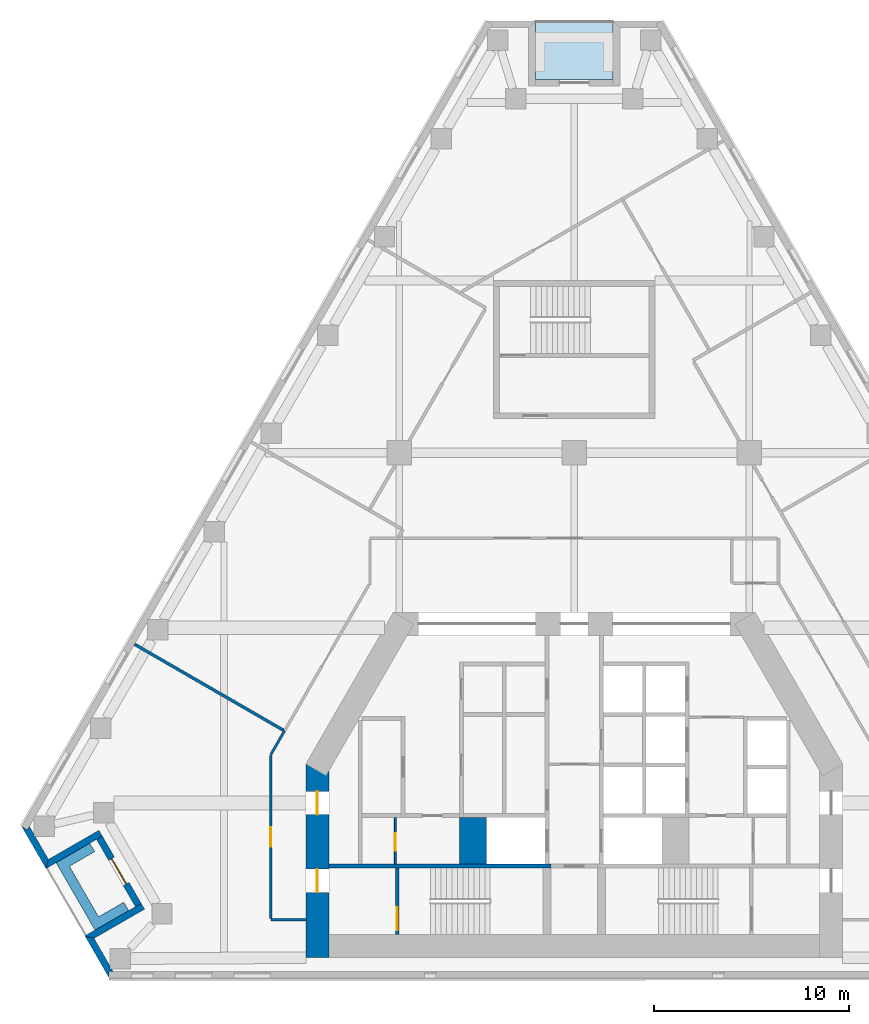
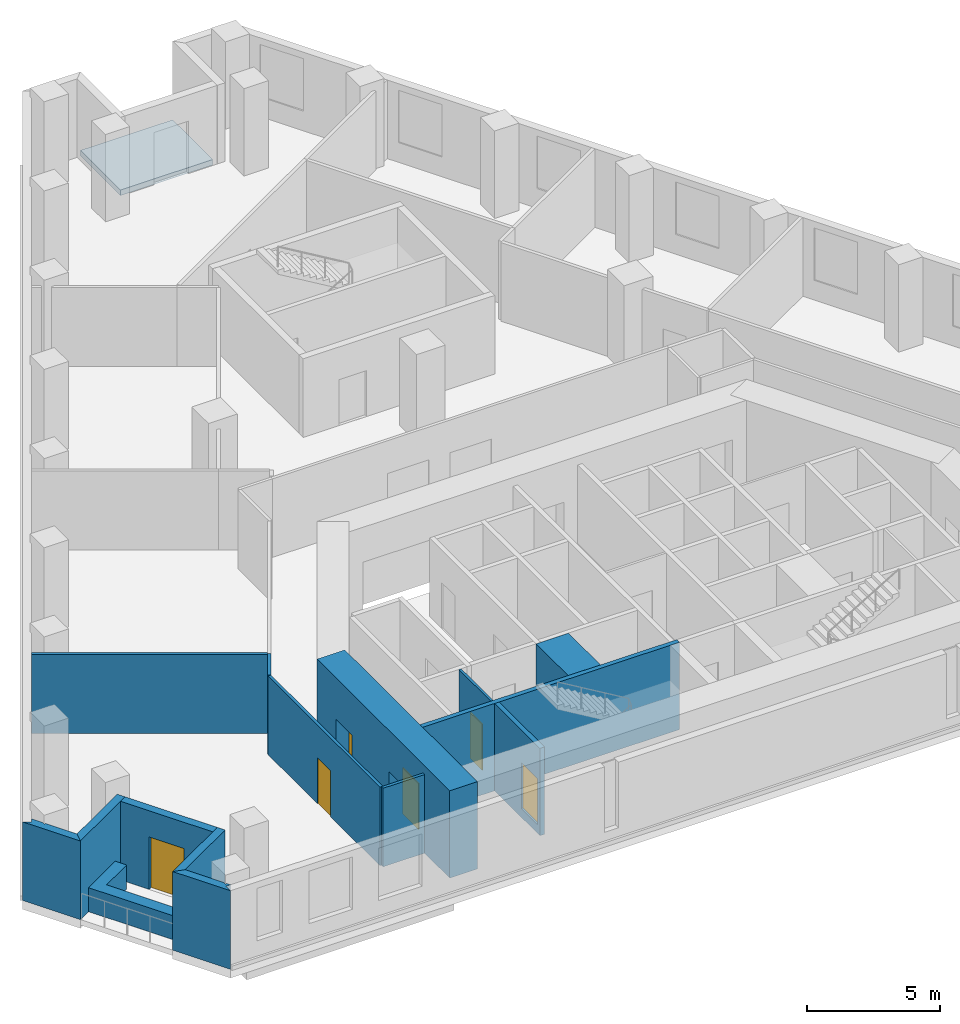
# One storey, part 2 of 7: 15 walls, 6 doors, 1 slab, 6 openings.
"""IFC4 building model written with IfcOpenShell, lengths in metres."""

from ifc_helpers import new_model, si_unit, direction, frame, frame_2d, origin, place, context, subcontext, project, spatial, polyline, rectangle, outline, extrude, material, layer, layer_set, type_object, element, fill, save


model = new_model("IFC4")

# Units and contexts
model_context = context("Model", 3, precision=1e-05, world=origin(), true_north=direction((0.0, 1.0)))
body_context = subcontext(model_context, "Body", "Model", "MODEL_VIEW")
ifc_project = project(units=[si_unit("LENGTHUNIT", "METRE"), si_unit("AREAUNIT", "SQUARE_METRE"), si_unit("VOLUMEUNIT", "CUBIC_METRE"), si_unit("PLANEANGLEUNIT", "RADIAN"), si_unit("MASSUNIT", "GRAM", prefix="KILO")], contexts=[model_context])

# Site, building, storey
site_placement = place(None, origin())
site = spatial("IfcSite", under=ifc_project, at=site_placement, CompositionType="ELEMENT")
building_placement = place(site_placement, origin())
building = spatial("IfcBuilding", under=site, at=building_placement, Name="Fogline Exchange Tower", CompositionType="ELEMENT")
storey_placement = place(building_placement, frame((0.0, 0.0, 166.89990234375)))
storey = spatial("IfcBuildingStorey", under=building, at=storey_placement, Name="L37", CompositionType="ELEMENT", Elevation=166.89990234375)

# Slab
ifc_material_1 = material(Name="Concrete C40", Category="concrete")
ifc_layer_1 = layer(ifc_material_1, 0.25)
ifc_layer_set_1 = layer_set([ifc_layer_1], Name="DK1")
slab_type = type_object("IfcSlabType", Name="DK1", PredefinedType="FLOOR", material=ifc_layer_set_1)
slab_placement = place(storey_placement, frame((0.0, 0.0, -0.25)))
element("IfcSlab", 1, at=slab_placement, inside=storey, type_object=slab_type, Name="Balcony L37 N", PredefinedType="FLOOR", context=body_context, shape_type="SweptSolid", body=[
    extrude(outline(polyline([(2.0, 49.19677734375), (-2.0, 49.19677734375), (-2.0, 46.19677734375), (2.0, 46.19677734375), (2.0, 49.19677734375)])), origin(), (0.0, 0.0, 1.0), 0.25),
])

# Wall, opening, door
ifc_material_2 = material(Name="Blockwork partition", Category="masonry")
ifc_layer_2 = layer(ifc_material_2, 0.10009765625)
ifc_layer_set_2 = layer_set([ifc_layer_2], Name="CW10")
wall_type_1 = type_object("IfcWallType", Name="CW10", PredefinedType="PARTITIONING", material=ifc_layer_set_2)
wall_1_placement = place(storey_placement, frame((-9.199951171875, 5.85009765625, 0.0), z_axis=(0.0, 0.0, 1.0), x_axis=(0.0, 1.0, 0.0)))
wall_1 = element("IfcWall", 2, at=wall_1_placement, inside=storey, type_object=wall_type_1, Name="WC partition", PredefinedType="PARTITIONING", context=body_context, shape_type="SweptSolid", body=[
    extrude(rectangle(XDim=2.39990234375, YDim=0.10009765625, at=frame_2d((1.199951171875, 0.0))), origin(), (0.0, 0.0, 1.0), 3.60009765625),
])
opening_1_placement = place(wall_1_placement, frame((0.699951171875, 0.0, 0.0)))
opening_1 = element("IfcOpeningElement", 3, at=opening_1_placement, cuts=wall_1, Name="Opening T12-C009", PredefinedType="OPENING", context=body_context, shape_type="SweptSolid", body=[
    extrude(rectangle(XDim=0.89990234375, YDim=2.10009765625, at=frame_2d((0.449951171875, 1.050048828125))), frame((0.0, 0.06005859375, 0.0), z_axis=(0.0, -1.0, 0.0), x_axis=(1.0, 0.0, 0.0)), (0.0, 0.0, 1.0), 0.1201171875),
])
ifc_material_3 = material(Name="Steel and timber fire door", Category="steel")
door_type_1 = type_object("IfcDoorType", Name="D-CS1", OperationType="SINGLE_SWING_RIGHT", PredefinedType="DOOR", material=ifc_material_3)
door_1_placement = place(opening_1_placement, origin())
door_1 = element("IfcDoor", 4, at=door_1_placement, inside=storey, type_object=door_type_1, Name="Door to Cleaner's Store", OperationType="SINGLE_SWING_LEFT", OverallHeight=2.10009765625, OverallWidth=0.89990234375, PredefinedType="DOOR", context=body_context, shape_type="SweptSolid", body=[
    extrude(rectangle(XDim=0.89990234375, YDim=2.10009765625, at=frame_2d((0.449951171875, 1.050048828125))), frame((0.0, 0.02490234375, 0.0), z_axis=(0.0, -1.0, 0.0), x_axis=(1.0, 0.0, 0.0)), (0.0, 0.0, 1.0), 0.050048828125),
])
fill(opening_1, door_1)

# Walls
ifc_material_4 = material(Name="Concrete C60", Category="concrete")
ifc_layer_3 = layer(ifc_material_4, 1.39990234375)
ifc_layer_set_3 = layer_set([ifc_layer_3], Name="CW140")
wall_type_2 = type_object("IfcWallType", Name="CW140", PredefinedType="SOLIDWALL", material=ifc_layer_set_3)
wall_2_placement = place(storey_placement, frame((-5.199951171875, 5.85009765625, -0.39990234375), z_axis=(0.0, 0.0, 1.0), x_axis=(0.0, 1.0, 0.0)))
element("IfcWall", 5, at=wall_2_placement, inside=storey, type_object=wall_type_2, Name="Lift shaft block wall", PredefinedType="SOLIDWALL", context=body_context, shape_type="SweptSolid", body=[
    extrude(rectangle(XDim=2.39990234375, YDim=1.39990234375, at=frame_2d((1.199951171875, 0.0))), origin(), (0.0, 0.0, 1.0), 4.0),
])
ifc_layer_4 = layer(ifc_material_1, 0.199951171875)
ifc_layer_set_4 = layer_set([ifc_layer_4], Name="CW20R")
wall_type_3 = type_object("IfcWallType", Name="CW20R", PredefinedType="SOLIDWALL", material=ifc_layer_set_4)
wall_3_placement = place(storey_placement, frame((-12.60009765625, 5.75, -0.39990234375), z_axis=(0.0, 0.0, 1.0), x_axis=(1.0, 0.0, 0.0)))
element("IfcWall", 6, at=wall_3_placement, inside=storey, type_object=wall_type_3, Name="Stair enclosure wall", PredefinedType="SOLIDWALL", context=body_context, shape_type="SweptSolid", body=[
    extrude(rectangle(XDim=11.400146484375, YDim=0.199951171875, at=frame_2d((5.7001953125, 0.0))), origin(), (0.0, 0.0, 1.0), 4.0),
])

# Wall, opening, door
wall_4_placement = place(storey_placement, frame((-9.10009765625, 2.25, -0.39990234375), z_axis=(0.0, 0.0, 1.0), x_axis=(0.0, 1.0, 0.0)))
wall_4 = element("IfcWall", 7, at=wall_4_placement, inside=storey, type_object=wall_type_3, Name="Stair enclosure wall", PredefinedType="SOLIDWALL", context=body_context, shape_type="SweptSolid", body=[
    extrude(rectangle(XDim=3.39990234375, YDim=0.199951171875, at=frame_2d((1.699951171875, 0.0))), origin(), (0.0, 0.0, 1.0), 4.0),
])
opening_2_placement = place(wall_4_placement, frame((0.199951171875, 0.0, 0.39990234375)))
opening_2 = element("IfcOpeningElement", 8, at=opening_2_placement, cuts=wall_4, Name="Opening T12-C011", PredefinedType="OPENING", context=body_context, shape_type="SweptSolid", body=[
    extrude(rectangle(XDim=1.199951171875, YDim=2.10009765625, at=frame_2d((0.60009765625, 1.050048828125))), frame((0.0, 0.10986328125, 0.0), z_axis=(0.0, -1.0, 0.0), x_axis=(1.0, 0.0, 0.0)), (0.0, 0.0, 1.0), 0.219970703125),
])
door_type_2 = type_object("IfcDoorType", Name="D-ST1", OperationType="SINGLE_SWING_LEFT", PredefinedType="DOOR", material=ifc_material_3)
door_2_placement = place(opening_2_placement, frame((1.199951171875, 0.0, 0.0), z_axis=(0.0, 0.0, 1.0), x_axis=(-1.0, 0.0, 0.0)))
door_2 = element("IfcDoor", 9, at=door_2_placement, inside=storey, type_object=door_type_2, Name="Stair door ST1", OperationType="SINGLE_SWING_RIGHT", OverallHeight=2.10009765625, OverallWidth=1.199951171875, PredefinedType="DOOR", context=body_context, shape_type="SweptSolid", body=[
    extrude(rectangle(XDim=1.199951171875, YDim=2.10009765625, at=frame_2d((0.60009765625, 1.050048828125))), frame((0.0, 0.02490234375, 0.0), z_axis=(0.0, -1.0, 0.0), x_axis=(1.0, 0.0, 0.0)), (0.0, 0.0, 1.0), 0.050048828125),
])
fill(opening_2, door_2)

# Walls
ifc_material_5 = material(Name="Brick masonry", Category="masonry")
ifc_layer_5 = layer(ifc_material_5, 0.340087890625)
ifc_layer_set_5 = layer_set([ifc_layer_5], Name="FW1")
wall_type_4 = type_object("IfcWallType", Name="FW1", PredefinedType="SOLIDWALL", material=ifc_layer_set_5)
wall_5_placement = place(storey_placement, origin())
element("IfcWall", 10, at=wall_5_placement, inside=storey, type_object=wall_type_4, Name="Brick wall L37 SW-c1", PredefinedType="SOLIDWALL", context=body_context, shape_type="SweptSolid", body=[
    extrude(outline(polyline([(-27.15380859375, 5.6279296875), (-28.40478515625, 7.794921875), (-28.404296875, 7.79541015625), (-28.109375, 7.625), (-28.010986328125, 7.79541015625), (-27.77392578125, 7.384765625), (-27.77392578125, 7.269287109375), (-27.707275390625, 7.269287109375), (-27.028564453125, 6.09375), (-27.1533203125, 5.6279296875), (-27.15380859375, 5.6279296875)])), origin(), (0.0, 0.0, 1.0), 3.60009765625),
])
wall_6_placement = place(storey_placement, origin())
element("IfcWall", 11, at=wall_6_placement, inside=storey, type_object=wall_type_4, Name="Brick wall L37 SW-s1", PredefinedType="SOLIDWALL", context=body_context, shape_type="SweptSolid", body=[
    extrude(outline(polyline([(-24.430908203125, 7.594482421875), (-24.26025390625, 7.298828125), (-24.555419921875, 7.128662109375), (-27.154296875, 5.628173828125), (-27.154541015625, 5.62841796875), (-27.02978515625, 6.093994140625), (-24.430908203125, 7.594482421875)])), origin(), (0.0, 0.0, 1.0), 3.60009765625),
])

# Wall, opening, door
wall_7_placement = place(storey_placement, frame((-24.408447265625, 7.214111328125, 0.0), z_axis=(0.0, 0.0, 1.0), x_axis=(0.49999894854, -0.866026010844, 0.0)))
wall_7 = element("IfcWall", 12, at=wall_7_placement, inside=storey, type_object=wall_type_4, Name="Brick wall L37 SW-bk", PredefinedType="SOLIDWALL", context=body_context, shape_type="SweptSolid", body=[
    extrude(rectangle(XDim=4.0, YDim=0.340087890625, at=frame_2d((2.0, 0.0))), origin(), (0.0, 0.0, 1.0), 3.60009765625),
])
opening_3_placement = place(wall_7_placement, frame((1.25, 0.0, 0.0)))
opening_3 = element("IfcOpeningElement", 13, at=opening_3_placement, cuts=wall_7, Name="Opening T12-E021", PredefinedType="OPENING", context=body_context, shape_type="SweptSolid", body=[
    extrude(rectangle(XDim=1.5, YDim=2.39990234375, at=frame_2d((0.75, 1.199951171875))), frame((0.0, 0.18017578125, 0.0), z_axis=(0.0, -1.0, 0.0), x_axis=(1.0, 0.0, 0.0)), (0.0, 0.0, 1.0), 0.360107421875),
])
ifc_material_6 = material(Name="Aluminium and glass", Category="aluminium")
door_type_3 = type_object("IfcDoorType", Name="ED4", OperationType="SINGLE_SWING_LEFT", PredefinedType="DOOR", material=ifc_material_6)
door_3_placement = place(opening_3_placement, frame((1.5, 0.0, 0.0), z_axis=(0.0, 0.0, 1.0), x_axis=(-1.0, 0.0, 0.0)))
door_3 = element("IfcDoor", 14, at=door_3_placement, inside=storey, type_object=door_type_3, Name="Balcony door L37 SW", OperationType="DOUBLE_DOOR_SINGLE_SWING", OverallHeight=2.39990234375, OverallWidth=1.5, PredefinedType="DOOR", context=body_context, shape_type="SweptSolid", body=[
    extrude(rectangle(XDim=1.5, YDim=2.39990234375, at=frame_2d((0.75, 1.199951171875))), frame((0.0, 0.02490234375, 0.0), z_axis=(0.0, -1.0, 0.0), x_axis=(1.0, 0.0, 0.0)), (0.0, 0.0, 1.0), 0.050048828125),
])
fill(opening_3, door_3)

# Walls
wall_8_placement = place(storey_placement, origin())
element("IfcWall", 15, at=wall_8_placement, inside=storey, type_object=wall_type_4, Name="Brick wall L37 SW-s2", PredefinedType="SOLIDWALL", context=body_context, shape_type="SweptSolid", body=[
    extrude(outline(polyline([(-25.155029296875, 2.1650390625), (-22.555908203125, 3.66552734375), (-22.260986328125, 3.8359375), (-22.09033203125, 3.540283203125), (-24.689208984375, 2.0400390625), (-25.15478515625, 2.164794921875), (-25.155029296875, 2.1650390625)])), origin(), (0.0, 0.0, 1.0), 3.60009765625),
])
wall_9_placement = place(storey_placement, origin())
element("IfcWall", 16, at=wall_9_placement, inside=storey, type_object=wall_type_4, Name="Brick wall L37 SW-c2", PredefinedType="SOLIDWALL", context=body_context, shape_type="SweptSolid", body=[
    extrude(outline(polyline([(-23.851318359375, 0.590576171875), (-23.851318359375, 0.47509765625), (-23.78466796875, 0.47509765625), (-23.706298828125, 0.33935546875), (-23.903076171875, 0.33935546875), (-23.903076171875, -0.0009765625), (-23.903564453125, -0.001220703125), (-25.15478515625, 2.165771484375), (-25.154541015625, 2.166015625), (-24.68896484375, 2.041015625), (-23.851318359375, 0.590576171875)])), origin(), (0.0, 0.0, 1.0), 3.60009765625),
])
ifc_material_7 = material(Name="Concrete C30", Category="concrete")
ifc_layer_6 = layer(ifc_material_7, 0.199951171875)
ifc_layer_set_6 = layer_set([ifc_layer_6], Name="PL1")
wall_type_5 = type_object("IfcWallType", Name="PL1", PredefinedType="USERDEFINED", material=ifc_layer_set_6)
wall_10_placement = place(storey_placement, origin())
element("IfcWall", 17, at=wall_10_placement, inside=storey, type_object=wall_type_5, Name="PLANTER balcony L37 SW", ObjectType="PLANTER", PredefinedType="USERDEFINED", context=body_context, shape_type="SweptSolid", body=[
    extrude(outline(polyline([(-23.152099609375, 3.898193359375), (-24.451171875, 3.148193359375), (-25.951171875, 5.74609375), (-24.652099609375, 6.49609375), (-24.902099609375, 6.92919921875), (-26.634033203125, 5.92919921875), (-26.384033203125, 5.49609375), (-24.634033203125, 2.465087890625), (-24.201171875, 2.715087890625), (-24.201171875, 2.715087890625), (-22.902099609375, 3.465087890625), (-23.152099609375, 3.898193359375)])), origin(), (0.0, 0.0, 1.0), 1.10009765625),
])
ifc_material_8 = material(Name="Plasterboard corridor partition with mineral wool, 2 layers each side")
ifc_layer_7 = layer(ifc_material_8, 0.125)
ifc_layer_set_7 = layer_set([ifc_layer_7], Name="PW2")
wall_type_6 = type_object("IfcWallType", Name="PW2", PredefinedType="PARTITIONING", material=ifc_layer_set_7)
wall_11_placement = place(storey_placement, frame((-13.800048828125, 3.0, 0.0), z_axis=(0.0, 0.0, 1.0), x_axis=(-1.0, 0.0, 0.0)))
element("IfcWall", 18, at=wall_11_placement, inside=storey, type_object=wall_type_6, Name="wall-L37-W010", PredefinedType="PARTITIONING", context=body_context, shape_type="SweptSolid", body=[
    extrude(rectangle(XDim=1.800048828125, YDim=0.125, at=frame_2d((0.89990234375, 0.0))), origin(), (0.0, 0.0, 1.0), 3.60009765625),
])

# Wall, opening, door
wall_12_placement = place(storey_placement, frame((-15.60009765625, 3.0625, 0.0), z_axis=(0.0, 0.0, 1.0), x_axis=(0.0, 1.0, 0.0)))
wall_12 = element("IfcWall", 19, at=wall_12_placement, inside=storey, type_object=wall_type_6, Name="wall-L37-W011", PredefinedType="PARTITIONING", context=body_context, shape_type="SweptSolid", body=[
    extrude(rectangle(XDim=8.3876953125, YDim=0.125, at=frame_2d((4.19384765625, 0.0))), origin(), (0.0, 0.0, 1.0), 3.60009765625),
])
opening_4_placement = place(wall_12_placement, frame((3.69384765625, 0.0, 0.0)))
opening_4 = element("IfcOpeningElement", 20, at=opening_4_placement, cuts=wall_12, Name="Opening T12-D006", PredefinedType="OPENING", context=body_context, shape_type="SweptSolid", body=[
    extrude(rectangle(XDim=1.0, YDim=2.10009765625, at=frame_2d((0.5, 1.050048828125))), frame((0.0, 0.072509765625, 0.0), z_axis=(0.0, -1.0, 0.0), x_axis=(1.0, 0.0, 0.0)), (0.0, 0.0, 1.0), 0.14501953125),
])
ifc_material_9 = material(Name="Fire-rated timber door leaf with steel frame", Category="steel")
door_type_4 = type_object("IfcDoorType", Name="D3", OperationType="SINGLE_SWING_LEFT", PredefinedType="DOOR", material=ifc_material_9)
door_4_placement = place(opening_4_placement, origin())
door_4 = element("IfcDoor", 21, at=door_4_placement, inside=storey, type_object=door_type_4, Name="door-L37-D006", OperationType="SINGLE_SWING_LEFT", OverallHeight=2.10009765625, OverallWidth=1.0, PredefinedType="DOOR", context=body_context, shape_type="SweptSolid", body=[
    extrude(rectangle(XDim=1.0, YDim=2.10009765625, at=frame_2d((0.5, 1.050048828125))), frame((0.0, 0.02490234375, 0.0), z_axis=(0.0, -1.0, 0.0), x_axis=(1.0, 0.0, 0.0)), (0.0, 0.0, 1.0), 0.050048828125),
])
fill(opening_4, door_4)

# Walls
wall_13_placement = place(storey_placement, frame((-15.60009765625, 11.481201171875, 0.0), z_axis=(0.0, 0.0, 1.0), x_axis=(0.499981405807, 0.866036138881, 0.0)))
element("IfcWall", 22, at=wall_13_placement, inside=storey, type_object=wall_type_6, Name="wall-L37-W012", PredefinedType="PARTITIONING", context=body_context, shape_type="SweptSolid", body=[
    extrude(rectangle(XDim=1.41455078125, YDim=0.125, at=frame_2d((0.707275390625, 0.0))), origin(), (0.0, 0.0, 1.0), 3.60009765625),
])
ifc_material_10 = material(Name="Plasterboard demising partition with mineral wool and acoustic board")
ifc_layer_8 = layer(ifc_material_10, 0.14990234375)
ifc_layer_set_8 = layer_set([ifc_layer_8], Name="PW3")
wall_type_7 = type_object("IfcWallType", Name="PW3", PredefinedType="PARTITIONING", material=ifc_layer_set_8)
wall_14_placement = place(storey_placement, frame((-14.947021484375, 12.7373046875, 0.0), z_axis=(0.0, 0.0, 1.0), x_axis=(-0.866008559923, 0.500029173289, 0.0)))
element("IfcWall", 23, at=wall_14_placement, inside=storey, type_object=wall_type_7, Name="wall-L37-W032", PredefinedType="PARTITIONING", context=body_context, shape_type="SweptSolid", body=[
    extrude(rectangle(XDim=8.84228515625, YDim=0.14990234375, at=frame_2d((4.421142578125, 0.0))), origin(), (0.0, 0.0, 1.0), 3.60009765625),
])

# Wall, openings, doors
ifc_layer_9 = layer(ifc_material_4, 1.199951171875)
ifc_layer_set_9 = layer_set([ifc_layer_9], Name="SW02")
wall_type_8 = type_object("IfcWallType", Name="SW02", PredefinedType="SHEAR", material=ifc_layer_set_9)
wall_15_placement = place(storey_placement, frame((-13.199951171875, 10.9990234375, 0.0), z_axis=(0.0, 0.0, 1.0), x_axis=(0.0, -1.0, 0.0)))
wall_15 = element("IfcWall", 24, at=wall_15_placement, inside=storey, type_object=wall_type_8, Name="L37-W906", PredefinedType="SHEAR", context=body_context, shape_type="SweptSolid", body=[
    extrude(rectangle(XDim=9.948974609375, YDim=1.199951171875, at=frame_2d((4.974609375, 0.0))), origin(), (0.0, 0.0, 1.0), 4.0),
])
opening_5_placement = place(wall_15_placement, frame((5.39892578125, 0.0, 0.0)))
opening_5 = element("IfcOpeningElement", 25, at=opening_5_placement, cuts=wall_15, Name="Opening T12-C010", PredefinedType="OPENING", context=body_context, shape_type="SweptSolid", body=[
    extrude(rectangle(XDim=1.199951171875, YDim=2.10009765625, at=frame_2d((0.60009765625, 1.050048828125))), frame((0.0, 0.60986328125, 0.0), z_axis=(0.0, -1.0, 0.0), x_axis=(1.0, 0.0, 0.0)), (0.0, 0.0, 1.0), 1.219970703125),
])
opening_6_placement = place(wall_15_placement, frame((1.39892578125, 0.0, 0.0)))
opening_6 = element("IfcOpeningElement", 26, at=opening_6_placement, cuts=wall_15, Name="Opening T12-C012", PredefinedType="OPENING", context=body_context, shape_type="SweptSolid", body=[
    extrude(rectangle(XDim=1.199951171875, YDim=2.10009765625, at=frame_2d((0.60009765625, 1.050048828125))), frame((0.0, 0.60986328125, 0.0), z_axis=(0.0, -1.0, 0.0), x_axis=(1.0, 0.0, 0.0)), (0.0, 0.0, 1.0), 1.219970703125),
])
door_type_5 = type_object("IfcDoorType", Name="D-FR1", OperationType="SINGLE_SWING_RIGHT", PredefinedType="DOOR", material=ifc_material_3)
door_5_placement = place(opening_5_placement, origin())
door_5 = element("IfcDoor", 27, at=door_5_placement, inside=storey, type_object=door_type_5, Name="Front room door ST1", OperationType="SINGLE_SWING_LEFT", OverallHeight=2.10009765625, OverallWidth=1.199951171875, PredefinedType="DOOR", context=body_context, shape_type="SweptSolid", body=[
    extrude(rectangle(XDim=1.199951171875, YDim=2.10009765625, at=frame_2d((0.60009765625, 1.050048828125))), frame((0.0, 0.02490234375, 0.0), z_axis=(0.0, -1.0, 0.0), x_axis=(1.0, 0.0, 0.0)), (0.0, 0.0, 1.0), 0.050048828125),
])
fill(opening_5, door_5)
door_type_6 = type_object("IfcDoorType", Name="D-SV1", OperationType="SINGLE_SWING_LEFT", PredefinedType="DOOR", material=ifc_material_3)
door_6_placement = place(opening_6_placement, origin())
door_6 = element("IfcDoor", 28, at=door_6_placement, inside=storey, type_object=door_type_6, Name="Service door W", OperationType="SINGLE_SWING_LEFT", OverallHeight=2.10009765625, OverallWidth=1.199951171875, PredefinedType="DOOR", context=body_context, shape_type="SweptSolid", body=[
    extrude(rectangle(XDim=1.199951171875, YDim=2.10009765625, at=frame_2d((0.60009765625, 1.050048828125))), frame((0.0, 0.02490234375, 0.0), z_axis=(0.0, -1.0, 0.0), x_axis=(1.0, 0.0, 0.0)), (0.0, 0.0, 1.0), 0.050048828125),
])
fill(opening_6, door_6)

save(model, "model.ifc")
